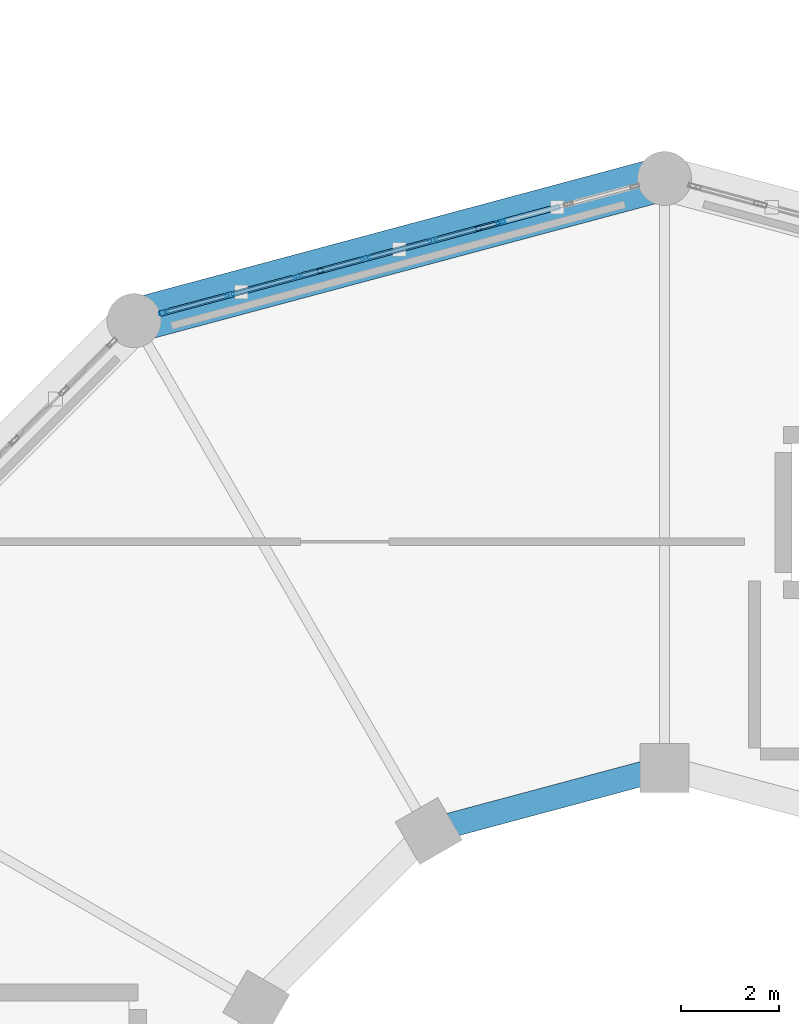
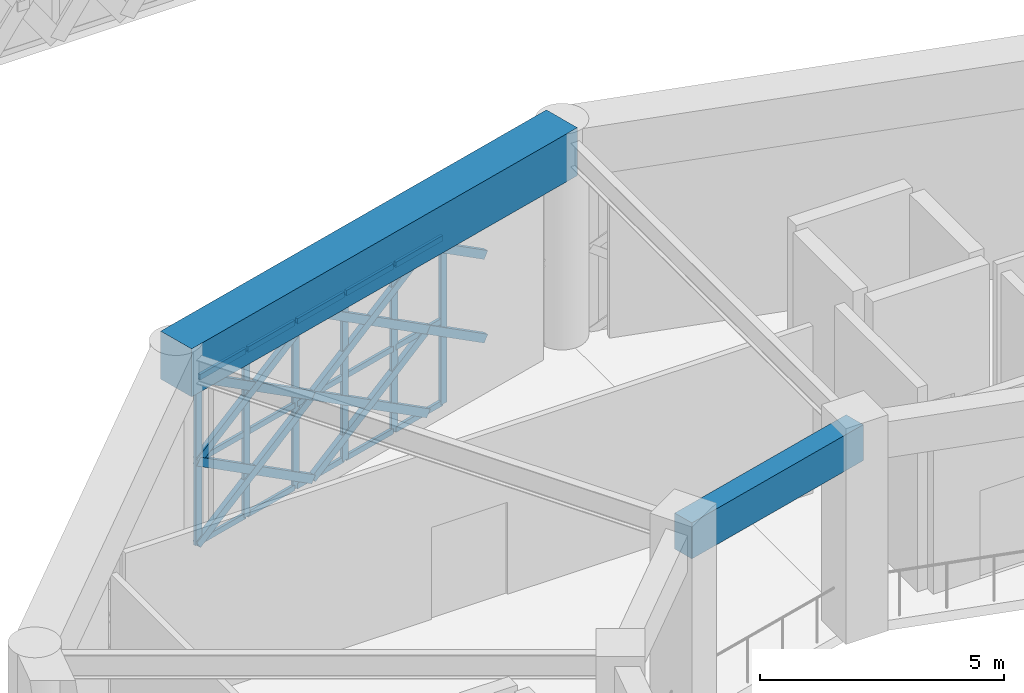
# One storey, part 28 of 72: 35 members, 2 beams, 1 element without a shape of its own.
"""IFC4 building model written with IfcOpenShell, lengths in metres."""

from ifc_helpers import new_model, si_unit, direction, frame, origin, origin_2d, place, context, subcontext, project, spatial, rectangle, hollow_rectangle, extrude, material, material_profile, profile_set, type_object, element, aggregate, save


model = new_model("IFC4")

# Units and contexts
model_context = context("Model", 3, precision=1e-05, world=origin(), true_north=direction((0.0, 1.0)))
body_context = subcontext(model_context, "Body", "Model", "MODEL_VIEW")
ifc_project = project(units=[si_unit("LENGTHUNIT", "METRE"), si_unit("AREAUNIT", "SQUARE_METRE"), si_unit("VOLUMEUNIT", "CUBIC_METRE"), si_unit("PLANEANGLEUNIT", "RADIAN"), si_unit("MASSUNIT", "GRAM", prefix="KILO")], contexts=[model_context])

# Site, building, storey
site_placement = place(None, origin())
site = spatial("IfcSite", under=ifc_project, at=site_placement, CompositionType="ELEMENT")
building_placement = place(site_placement, origin())
building = spatial("IfcBuilding", under=site, at=building_placement, Name="Haizhuo Lancet Aquarium", CompositionType="ELEMENT")
storey_placement = place(building_placement, frame((0.0, 0.0, 21.60009765625)))
storey = spatial("IfcBuildingStorey", under=building, at=storey_placement, Name="L04", CompositionType="ELEMENT", Elevation=21.60009765625)

# Beams
ifc_material_1 = material(Name="Concrete C50/60", Category="concrete")
ifc_material_profile_1 = material_profile(ifc_material_1, rectangle(XDim=0.89990234375, YDim=1.199951171875, at=origin_2d()), Name="RC-RB 900x1200")
ifc_profile_set_1 = profile_set([ifc_material_profile_1], Name="Concrete C50/60")
beam_type_1 = type_object("IfcBeamType", Name="BM-RB-900x1200", PredefinedType="USERDEFINED", material=ifc_profile_set_1)
beam_1_placement = place(storey_placement, frame((0.0, 21.60009765625, 4.7998046875), z_axis=(-0.965921832664, -0.258833949056, 0.0), x_axis=(0.258833949056, -0.965921832664, 0.0)))
element("IfcBeam", 1, at=beam_1_placement, inside=storey, type_object=beam_type_1, Name="Ocean Hall dome tension ring beam RB-1 seg 4", ObjectType="RING BEAM", PredefinedType="USERDEFINED", context=body_context, shape_type="SweptSolid", body=[
    extrude(rectangle(XDim=0.89990234375, YDim=1.199951171875, at=origin_2d()), origin(), (0.0, 0.0, 1.0), 11.18115234375),
])
ifc_material_2 = material(Name="Concrete C40/50", Category="concrete")
ifc_material_profile_2 = material_profile(ifc_material_2, rectangle(XDim=0.5, YDim=0.89990234375, at=origin_2d()), Name="RC-BM 500x900")
ifc_profile_set_2 = profile_set([ifc_material_profile_2], Name="Concrete C40/50")
beam_type_2 = type_object("IfcBeamType", Name="BM-RC-500x900", PredefinedType="BEAM", material=ifc_profile_set_2)
beam_2_placement = place(storey_placement, frame((0.0, 9.60009765625, 4.699951171875), z_axis=(-0.965927657214, -0.258812211902, 0.0), x_axis=(0.258812211902, -0.965927657214, 0.0)))
element("IfcBeam", 2, at=beam_2_placement, inside=storey, type_object=beam_type_2, Name="L04 tank ring beam 4", PredefinedType="BEAM", context=body_context, shape_type="SweptSolid", body=[
    extrude(rectangle(XDim=0.5, YDim=0.89990234375, at=origin_2d()), origin(), (0.0, 0.0, 1.0), 4.969482421875),
])

# Curtain wall, members
ifc_material_3 = material(Name="Aluminium 6063-T6", Category="aluminium")
curtain_wall_type = type_object("IfcCurtainWallType", Name="CWO-9990x4180", PredefinedType="NOTDEFINED", material=ifc_material_3)
curtain_wall_placement = place(storey_placement, origin())
curtain_wall = element("IfcCurtainWall", 3, at=curtain_wall_placement, inside=storey, type_object=curtain_wall_type, Name="L04 curtain wall CW-V1-L04-04", PredefinedType="NOTDEFINED")
ifc_material_profile_3 = material_profile(ifc_material_3, hollow_rectangle(XDim=0.06494140625, YDim=0.179931640625, WallThickness=0.00390625, at=origin_2d()), Name="ALU-M 65x180x4")
ifc_profile_set_3 = profile_set([ifc_material_profile_3], Name="Aluminium 6063-T6")
member_type_1 = type_object("IfcMemberType", Name="CW-MUL-1", PredefinedType="MULLION", material=ifc_profile_set_3)
member_1_placement = place(storey_placement, frame((-10.194091796875, 18.867919921875, 0.0), z_axis=(0.0, 0.0, 1.0), x_axis=(-0.258852762117, 0.965916791212, 0.0)))
member_1 = element("IfcMember", 4, at=member_1_placement, type_object=member_type_1, Name="CWO-99x41 mullion 1", PredefinedType="MULLION", context=body_context, shape_type="SweptSolid", body=[
    extrude(hollow_rectangle(XDim=0.06494140625, YDim=0.179931640625, WallThickness=0.00390625, at=origin_2d()), origin(), (0.0, 0.0, 1.0), 4.184814453125),
])
member_2_placement = place(storey_placement, frame((-8.845947265625, 19.22900390625, 0.0), z_axis=(0.0, 0.0, 1.0), x_axis=(-0.258852762117, 0.965916791212, 0.0)))
member_2 = element("IfcMember", 5, at=member_2_placement, type_object=member_type_1, Name="CWO-99x41 mullion 2", PredefinedType="MULLION", context=body_context, shape_type="SweptSolid", body=[
    extrude(hollow_rectangle(XDim=0.06494140625, YDim=0.179931640625, WallThickness=0.00390625, at=origin_2d()), origin(), (0.0, 0.0, 1.0), 4.184814453125),
])
member_3_placement = place(storey_placement, frame((-7.468017578125, 19.59912109375, 0.0), z_axis=(0.0, 0.0, 1.0), x_axis=(-0.258852762117, 0.965916791212, 0.0)))
member_3 = element("IfcMember", 6, at=member_3_placement, type_object=member_type_1, Name="CWO-99x41 mullion 3", PredefinedType="MULLION", context=body_context, shape_type="SweptSolid", body=[
    extrude(hollow_rectangle(XDim=0.06494140625, YDim=0.179931640625, WallThickness=0.00390625, at=origin_2d()), origin(), (0.0, 0.0, 1.0), 4.184814453125),
])
member_4_placement = place(storey_placement, frame((-6.089111328125, 19.968017578125, 0.0), z_axis=(0.0, 0.0, 1.0), x_axis=(-0.258852762117, 0.965916791212, 0.0)))
member_4 = element("IfcMember", 7, at=member_4_placement, type_object=member_type_1, Name="CWO-99x41 mullion 4", PredefinedType="MULLION", context=body_context, shape_type="SweptSolid", body=[
    extrude(hollow_rectangle(XDim=0.06494140625, YDim=0.179931640625, WallThickness=0.00390625, at=origin_2d()), origin(), (0.0, 0.0, 1.0), 4.184814453125),
])
member_5_placement = place(storey_placement, frame((-4.7109375, 20.337890625, 0.0), z_axis=(0.0, 0.0, 1.0), x_axis=(-0.258852762117, 0.965916791212, 0.0)))
member_5 = element("IfcMember", 8, at=member_5_placement, type_object=member_type_1, Name="CWO-99x41 mullion 5", PredefinedType="MULLION", context=body_context, shape_type="SweptSolid", body=[
    extrude(hollow_rectangle(XDim=0.06494140625, YDim=0.179931640625, WallThickness=0.00390625, at=origin_2d()), origin(), (0.0, 0.0, 1.0), 4.184814453125),
])
member_6_placement = place(storey_placement, frame((-3.33203125, 20.70703125, 0.0), z_axis=(0.0, 0.0, 1.0), x_axis=(-0.258852762117, 0.965916791212, 0.0)))
member_6 = element("IfcMember", 9, at=member_6_placement, type_object=member_type_1, Name="CWO-99x41 mullion 6", PredefinedType="MULLION", context=body_context, shape_type="SweptSolid", body=[
    extrude(hollow_rectangle(XDim=0.06494140625, YDim=0.179931640625, WallThickness=0.00390625, at=origin_2d()), origin(), (0.0, 0.0, 1.0), 4.184814453125),
])
ifc_material_profile_4 = material_profile(ifc_material_3, hollow_rectangle(XDim=0.06494140625, YDim=0.139892578125, WallThickness=0.00390625, at=origin_2d()), Name="ALU-T 65x140x4")
ifc_profile_set_4 = profile_set([ifc_material_profile_4], Name="Aluminium 6063-T6")
member_type_2 = type_object("IfcMemberType", Name="CW-TRN-1", PredefinedType="NOTDEFINED", material=ifc_profile_set_4)
member_7_placement = place(storey_placement, frame((-10.162109375, 18.876953125, 0.032958984375), z_axis=(0.965944773121, 0.258748324207, 0.0), x_axis=(-0.258748324207, 0.965944773121, 0.0)))
member_7 = element("IfcMember", 10, at=member_7_placement, type_object=member_type_2, Name="CWO-99x41 transom 1.1", ObjectType="TRANSOM", PredefinedType="USERDEFINED", context=body_context, shape_type="SweptSolid", body=[
    extrude(hollow_rectangle(XDim=0.06494140625, YDim=0.139892578125, WallThickness=0.00390625, at=origin_2d()), origin(), (0.0, 0.0, 1.0), 1.329345703125),
])
member_8_placement = place(storey_placement, frame((-10.162109375, 18.876953125, 2.093017578125), z_axis=(0.965944773121, 0.258748324207, 0.0), x_axis=(-0.258748324207, 0.965944773121, 0.0)))
member_8 = element("IfcMember", 11, at=member_8_placement, type_object=member_type_2, Name="CWO-99x41 transom 1.2", ObjectType="TRANSOM", PredefinedType="USERDEFINED", context=body_context, shape_type="SweptSolid", body=[
    extrude(hollow_rectangle(XDim=0.06494140625, YDim=0.139892578125, WallThickness=0.00390625, at=origin_2d()), origin(), (0.0, 0.0, 1.0), 1.329345703125),
])
member_9_placement = place(storey_placement, frame((-10.162109375, 18.876953125, 4.15283203125), z_axis=(0.965944773121, 0.258748324207, 0.0), x_axis=(-0.258748324207, 0.965944773121, 0.0)))
member_9 = element("IfcMember", 12, at=member_9_placement, type_object=member_type_2, Name="CWO-99x41 transom 1.3", ObjectType="TRANSOM", PredefinedType="USERDEFINED", context=body_context, shape_type="SweptSolid", body=[
    extrude(hollow_rectangle(XDim=0.06494140625, YDim=0.139892578125, WallThickness=0.00390625, at=origin_2d()), origin(), (0.0, 0.0, 1.0), 1.329345703125),
])
member_10_placement = place(storey_placement, frame((-8.81494140625, 19.238037109375, 0.032958984375), z_axis=(0.966026395076, 0.258443425176, 0.0), x_axis=(-0.258443425176, 0.966026395076, 0.0)))
member_10 = element("IfcMember", 13, at=member_10_placement, type_object=member_type_2, Name="CWO-99x41 transom 2.1", ObjectType="TRANSOM", PredefinedType="USERDEFINED", context=body_context, shape_type="SweptSolid", body=[
    extrude(hollow_rectangle(XDim=0.06494140625, YDim=0.139892578125, WallThickness=0.00390625, at=origin_2d()), origin(), (0.0, 0.0, 1.0), 1.3623046875),
])
member_11_placement = place(storey_placement, frame((-8.81494140625, 19.238037109375, 2.093017578125), z_axis=(0.966026395076, 0.258443425176, 0.0), x_axis=(-0.258443425176, 0.966026395076, 0.0)))
member_11 = element("IfcMember", 14, at=member_11_placement, type_object=member_type_2, Name="CWO-99x41 transom 2.2", ObjectType="TRANSOM", PredefinedType="USERDEFINED", context=body_context, shape_type="SweptSolid", body=[
    extrude(hollow_rectangle(XDim=0.06494140625, YDim=0.139892578125, WallThickness=0.00390625, at=origin_2d()), origin(), (0.0, 0.0, 1.0), 1.3623046875),
])
member_12_placement = place(storey_placement, frame((-8.81494140625, 19.238037109375, 4.15283203125), z_axis=(0.966026395076, 0.258443425176, 0.0), x_axis=(-0.258443425176, 0.966026395076, 0.0)))
member_12 = element("IfcMember", 15, at=member_12_placement, type_object=member_type_2, Name="CWO-99x41 transom 2.3", ObjectType="TRANSOM", PredefinedType="USERDEFINED", context=body_context, shape_type="SweptSolid", body=[
    extrude(hollow_rectangle(XDim=0.06494140625, YDim=0.139892578125, WallThickness=0.00390625, at=origin_2d()), origin(), (0.0, 0.0, 1.0), 1.3623046875),
])
member_13_placement = place(storey_placement, frame((-7.43603515625, 19.60693359375, 0.032958984375), z_axis=(0.965799039157, 0.259291758378, 0.0), x_axis=(-0.259291758378, 0.965799039157, 0.0)))
member_13 = element("IfcMember", 16, at=member_13_placement, type_object=member_type_2, Name="CWO-99x41 transom 3.1", ObjectType="TRANSOM", PredefinedType="USERDEFINED", context=body_context, shape_type="SweptSolid", body=[
    extrude(hollow_rectangle(XDim=0.06494140625, YDim=0.139892578125, WallThickness=0.00390625, at=origin_2d()), origin(), (0.0, 0.0, 1.0), 1.361572265625),
])
member_14_placement = place(storey_placement, frame((-7.43603515625, 19.60693359375, 2.093017578125), z_axis=(0.965799039157, 0.259291758378, 0.0), x_axis=(-0.259291758378, 0.965799039157, 0.0)))
member_14 = element("IfcMember", 17, at=member_14_placement, type_object=member_type_2, Name="CWO-99x41 transom 3.2", ObjectType="TRANSOM", PredefinedType="USERDEFINED", context=body_context, shape_type="SweptSolid", body=[
    extrude(hollow_rectangle(XDim=0.06494140625, YDim=0.139892578125, WallThickness=0.00390625, at=origin_2d()), origin(), (0.0, 0.0, 1.0), 1.361572265625),
])
member_15_placement = place(storey_placement, frame((-7.43603515625, 19.60693359375, 4.15283203125), z_axis=(0.965799039157, 0.259291758378, 0.0), x_axis=(-0.259291758378, 0.965799039157, 0.0)))
member_15 = element("IfcMember", 18, at=member_15_placement, type_object=member_type_2, Name="CWO-99x41 transom 3.3", ObjectType="TRANSOM", PredefinedType="USERDEFINED", context=body_context, shape_type="SweptSolid", body=[
    extrude(hollow_rectangle(XDim=0.06494140625, YDim=0.139892578125, WallThickness=0.00390625, at=origin_2d()), origin(), (0.0, 0.0, 1.0), 1.361572265625),
])
member_16_placement = place(storey_placement, frame((-6.05810546875, 19.97705078125, 0.032958984375), z_axis=(0.966038362989, 0.258398686594, 0.0), x_axis=(-0.258398686594, 0.966038362989, 0.0)))
member_16 = element("IfcMember", 19, at=member_16_placement, type_object=member_type_2, Name="CWO-99x41 transom 4.1", ObjectType="TRANSOM", PredefinedType="USERDEFINED", context=body_context, shape_type="SweptSolid", body=[
    extrude(hollow_rectangle(XDim=0.06494140625, YDim=0.139892578125, WallThickness=0.00390625, at=origin_2d()), origin(), (0.0, 0.0, 1.0), 1.362548828125),
])
member_17_placement = place(storey_placement, frame((-6.05810546875, 19.97705078125, 2.093017578125), z_axis=(0.966038362989, 0.258398686594, 0.0), x_axis=(-0.258398686594, 0.966038362989, 0.0)))
member_17 = element("IfcMember", 20, at=member_17_placement, type_object=member_type_2, Name="CWO-99x41 transom 4.2", ObjectType="TRANSOM", PredefinedType="USERDEFINED", context=body_context, shape_type="SweptSolid", body=[
    extrude(hollow_rectangle(XDim=0.06494140625, YDim=0.139892578125, WallThickness=0.00390625, at=origin_2d()), origin(), (0.0, 0.0, 1.0), 1.362548828125),
])
member_18_placement = place(storey_placement, frame((-6.05810546875, 19.97705078125, 4.15283203125), z_axis=(0.966038362989, 0.258398686594, 0.0), x_axis=(-0.258398686594, 0.966038362989, 0.0)))
member_18 = element("IfcMember", 21, at=member_18_placement, type_object=member_type_2, Name="CWO-99x41 transom 4.3", ObjectType="TRANSOM", PredefinedType="USERDEFINED", context=body_context, shape_type="SweptSolid", body=[
    extrude(hollow_rectangle(XDim=0.06494140625, YDim=0.139892578125, WallThickness=0.00390625, at=origin_2d()), origin(), (0.0, 0.0, 1.0), 1.362548828125),
])
member_19_placement = place(storey_placement, frame((-4.678955078125, 20.345947265625, 0.032958984375), z_axis=(0.965799039157, 0.259291758378, 0.0), x_axis=(-0.259291758378, 0.965799039157, 0.0)))
member_19 = element("IfcMember", 22, at=member_19_placement, type_object=member_type_2, Name="CWO-99x41 transom 5.1", ObjectType="TRANSOM", PredefinedType="USERDEFINED", context=body_context, shape_type="SweptSolid", body=[
    extrude(hollow_rectangle(XDim=0.06494140625, YDim=0.139892578125, WallThickness=0.00390625, at=origin_2d()), origin(), (0.0, 0.0, 1.0), 1.361572265625),
])
member_20_placement = place(storey_placement, frame((-4.678955078125, 20.345947265625, 2.093017578125), z_axis=(0.965799039157, 0.259291758378, 0.0), x_axis=(-0.259291758378, 0.965799039157, 0.0)))
member_20 = element("IfcMember", 23, at=member_20_placement, type_object=member_type_2, Name="CWO-99x41 transom 5.2", ObjectType="TRANSOM", PredefinedType="USERDEFINED", context=body_context, shape_type="SweptSolid", body=[
    extrude(hollow_rectangle(XDim=0.06494140625, YDim=0.139892578125, WallThickness=0.00390625, at=origin_2d()), origin(), (0.0, 0.0, 1.0), 1.361572265625),
])
member_21_placement = place(storey_placement, frame((-4.678955078125, 20.345947265625, 4.15283203125), z_axis=(0.965799039157, 0.259291758378, 0.0), x_axis=(-0.259291758378, 0.965799039157, 0.0)))
member_21 = element("IfcMember", 24, at=member_21_placement, type_object=member_type_2, Name="CWO-99x41 transom 5.3", ObjectType="TRANSOM", PredefinedType="USERDEFINED", context=body_context, shape_type="SweptSolid", body=[
    extrude(hollow_rectangle(XDim=0.06494140625, YDim=0.139892578125, WallThickness=0.00390625, at=origin_2d()), origin(), (0.0, 0.0, 1.0), 1.361572265625),
])
aggregate(curtain_wall, [member_1, member_2, member_3, member_4, member_5, member_6, member_7, member_8, member_9, member_10, member_11, member_12, member_13, member_14, member_15, member_16, member_17, member_18, member_19, member_20, member_21])

# Members
ifc_material_4 = material(Name="Steel S355", Category="steel")
ifc_material_profile_5 = material_profile(ifc_material_4, hollow_rectangle(XDim=0.1201171875, YDim=0.199951171875, WallThickness=0.008056640625, at=origin_2d()), Name="RHS 120x200x8")
ifc_profile_set_5 = profile_set([ifc_material_profile_5], Name="Steel S355")
member_type_3 = type_object("IfcMemberType", Name="MEM-LB-RHS120x200", PredefinedType="BRACE", material=ifc_profile_set_5)
member_22_placement = place(storey_placement, frame((-10.22509765625, 18.860107421875, 0.0), z_axis=(0.817847065908, 0.219093886519, 0.532094019582), x_axis=(-0.258766619754, 0.965939872094, 0.0)))
element("IfcMember", 25, at=member_22_placement, inside=storey, type_object=member_type_3, Name="Gothic lancet continuous diagonal brace CW-V1-L04-04 1A", PredefinedType="BRACE", context=body_context, shape_type="SweptSolid", body=[
    extrude(hollow_rectangle(XDim=0.1201171875, YDim=0.199951171875, WallThickness=0.008056640625, at=origin_2d()), origin(), (0.0, 0.0, 1.0), 3.93359375),
])
member_23_placement = place(storey_placement, frame((-7.008056640625, 19.721923828125, 0.0), z_axis=(-0.817827695142, -0.21903882882, 0.53214645778), x_axis=(0.258711662602, -0.965954592946, 0.0)))
element("IfcMember", 26, at=member_23_placement, inside=storey, type_object=member_type_3, Name="Gothic lancet split diagonal brace CW-V1-L04-04 1B1", PredefinedType="BRACE", context=body_context, shape_type="SweptSolid", body=[
    extrude(hollow_rectangle(XDim=0.1201171875, YDim=0.199951171875, WallThickness=0.008056640625, at=origin_2d()), origin(), (0.0, 0.0, 1.0), 1.96728515625),
])
member_24_placement = place(storey_placement, frame((-8.616943359375, 19.291015625, 1.046875), z_axis=(-0.817866441377, -0.219148970553, 0.532041551738), x_axis=(0.25882159942, -0.965925141858, 0.0)))
element("IfcMember", 27, at=member_24_placement, inside=storey, type_object=member_type_3, Name="Gothic lancet split diagonal brace CW-V1-L04-04 1B2", PredefinedType="BRACE", context=body_context, shape_type="SweptSolid", body=[
    extrude(hollow_rectangle(XDim=0.1201171875, YDim=0.199951171875, WallThickness=0.008056640625, at=origin_2d()), origin(), (0.0, 0.0, 1.0), 1.96630859375),
])
member_25_placement = place(storey_placement, frame((-10.22509765625, 18.860107421875, 2.093017578125), z_axis=(0.817982107307, 0.219130062897, 0.531871495439), x_axis=(-0.258766619754, 0.965939872094, 0.0)))
element("IfcMember", 28, at=member_25_placement, inside=storey, type_object=member_type_3, Name="Gothic lancet continuous diagonal brace CW-V1-L04-04 2A", PredefinedType="BRACE", context=body_context, shape_type="SweptSolid", body=[
    extrude(hollow_rectangle(XDim=0.1201171875, YDim=0.199951171875, WallThickness=0.008056640625, at=origin_2d()), origin(), (0.0, 0.0, 1.0), 3.932861328125),
])
member_26_placement = place(storey_placement, frame((-7.008056640625, 19.721923828125, 2.093017578125), z_axis=(-0.818043717557, -0.219096686113, 0.531790483462), x_axis=(0.258711662602, -0.965954592946, 0.0)))
element("IfcMember", 29, at=member_26_placement, inside=storey, type_object=member_type_3, Name="Gothic lancet split diagonal brace CW-V1-L04-04 2B1", PredefinedType="BRACE", context=body_context, shape_type="SweptSolid", body=[
    extrude(hollow_rectangle(XDim=0.1201171875, YDim=0.199951171875, WallThickness=0.008056640625, at=origin_2d()), origin(), (0.0, 0.0, 1.0), 1.966796875),
])
member_27_placement = place(storey_placement, frame((-8.616943359375, 19.291015625, 3.138916015625), z_axis=(-0.817920468895, -0.219163447336, 0.531952525997), x_axis=(0.25882159942, -0.965925141858, 0.0)))
element("IfcMember", 30, at=member_27_placement, inside=storey, type_object=member_type_3, Name="Gothic lancet split diagonal brace CW-V1-L04-04 2B2", PredefinedType="BRACE", context=body_context, shape_type="SweptSolid", body=[
    extrude(hollow_rectangle(XDim=0.1201171875, YDim=0.199951171875, WallThickness=0.008056640625, at=origin_2d()), origin(), (0.0, 0.0, 1.0), 1.966064453125),
])
member_28_placement = place(storey_placement, frame((-7.008056640625, 19.721923828125, 0.0), z_axis=(0.817753707708, 0.219197475284, 0.532194833081), x_axis=(-0.258908342106, 0.965901894805, 0.0)))
element("IfcMember", 31, at=member_28_placement, inside=storey, type_object=member_type_3, Name="Gothic lancet continuous diagonal brace CW-V1-L04-04 3A", PredefinedType="BRACE", context=body_context, shape_type="SweptSolid", body=[
    extrude(hollow_rectangle(XDim=0.1201171875, YDim=0.199951171875, WallThickness=0.008056640625, at=origin_2d()), origin(), (0.0, 0.0, 1.0), 3.932861328125),
])
member_29_placement = place(storey_placement, frame((-3.7919921875, 20.583984375, 0.0), z_axis=(-0.817663206478, -0.219127780054, 0.5323625614), x_axis=(0.258858265046, -0.965915316483, 0.0)))
element("IfcMember", 32, at=member_29_placement, inside=storey, type_object=member_type_3, Name="Gothic lancet split diagonal brace CW-V1-L04-04 3B1", PredefinedType="BRACE", context=body_context, shape_type="SweptSolid", body=[
    extrude(hollow_rectangle(XDim=0.1201171875, YDim=0.199951171875, WallThickness=0.008056640625, at=origin_2d()), origin(), (0.0, 0.0, 1.0), 1.966552734375),
])
member_30_placement = place(storey_placement, frame((-5.39990234375, 20.153076171875, 1.046875), z_axis=(-0.817844181547, -0.219267166329, 0.53202707119), x_axis=(0.258958409476, -0.965888472942, 0.0)))
element("IfcMember", 33, at=member_30_placement, inside=storey, type_object=member_type_3, Name="Gothic lancet split diagonal brace CW-V1-L04-04 3B2", PredefinedType="BRACE", context=body_context, shape_type="SweptSolid", body=[
    extrude(hollow_rectangle(XDim=0.1201171875, YDim=0.199951171875, WallThickness=0.008056640625, at=origin_2d()), origin(), (0.0, 0.0, 1.0), 1.96630859375),
])
member_31_placement = place(storey_placement, frame((-7.008056640625, 19.721923828125, 2.093017578125), z_axis=(0.817888784874, 0.219233682486, 0.531972300069), x_axis=(-0.258908342106, 0.965901894805, 0.0)))
element("IfcMember", 34, at=member_31_placement, inside=storey, type_object=member_type_3, Name="Gothic lancet continuous diagonal brace CW-V1-L04-04 4A", PredefinedType="BRACE", context=body_context, shape_type="SweptSolid", body=[
    extrude(hollow_rectangle(XDim=0.1201171875, YDim=0.199951171875, WallThickness=0.008056640625, at=origin_2d()), origin(), (0.0, 0.0, 1.0), 3.93212890625),
])
member_32_placement = place(storey_placement, frame((-3.7919921875, 20.583984375, 2.093017578125), z_axis=(-0.817879360967, -0.219185707881, 0.532006556693), x_axis=(0.258858265046, -0.965915316483, 0.0)))
element("IfcMember", 35, at=member_32_placement, inside=storey, type_object=member_type_3, Name="Gothic lancet split diagonal brace CW-V1-L04-04 4B1", PredefinedType="BRACE", context=body_context, shape_type="SweptSolid", body=[
    extrude(hollow_rectangle(XDim=0.1201171875, YDim=0.199951171875, WallThickness=0.008056640625, at=origin_2d()), origin(), (0.0, 0.0, 1.0), 1.966064453125),
])
member_33_placement = place(storey_placement, frame((-5.39990234375, 20.153076171875, 3.138916015625), z_axis=(-0.817898204654, -0.219281650132, 0.53193804596), x_axis=(0.258958409476, -0.965888472942, 0.0)))
element("IfcMember", 36, at=member_33_placement, inside=storey, type_object=member_type_3, Name="Gothic lancet split diagonal brace CW-V1-L04-04 4B2", PredefinedType="BRACE", context=body_context, shape_type="SweptSolid", body=[
    extrude(hollow_rectangle(XDim=0.1201171875, YDim=0.199951171875, WallThickness=0.008056640625, at=origin_2d()), origin(), (0.0, 0.0, 1.0), 1.96630859375),
])
for number, where, z_axis, x_axis, name in (
    (37, (-2.18310546875, 21.014892578125, 1.046875), (-0.817989714809, -0.219082222555, 0.531879503484), (0.258711662602, -0.965954592946, 0.0), "Gothic lancet split diagonal brace CW-V1-L04-04 5B2"),
    (38, (-2.18310546875, 21.014892578125, 3.138916015625), (-0.818043717557, -0.219096686113, 0.531790483462), (0.258711662602, -0.965954592946, 0.0), "Gothic lancet split diagonal brace CW-V1-L04-04 6B2"),
):
    element("IfcMember", number, at=place(storey_placement, frame(where, z_axis=z_axis, x_axis=x_axis)), inside=storey, type_object=member_type_3, Name=name, PredefinedType="BRACE", context=body_context, shape_type="SweptSolid", body=[
        extrude(hollow_rectangle(XDim=0.1201171875, YDim=0.199951171875, WallThickness=0.008056640625, at=origin_2d()), origin(), (0.0, 0.0, 1.0), 1.966796875),
    ])

save(model, "model.ifc")
